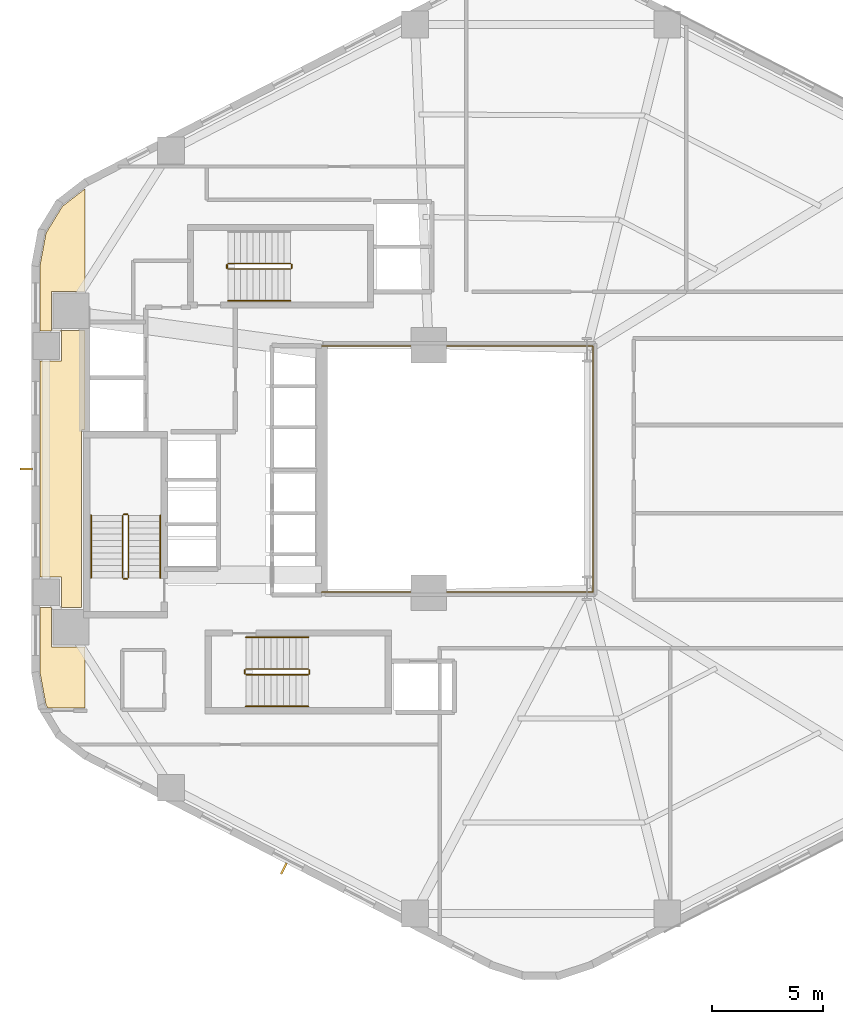
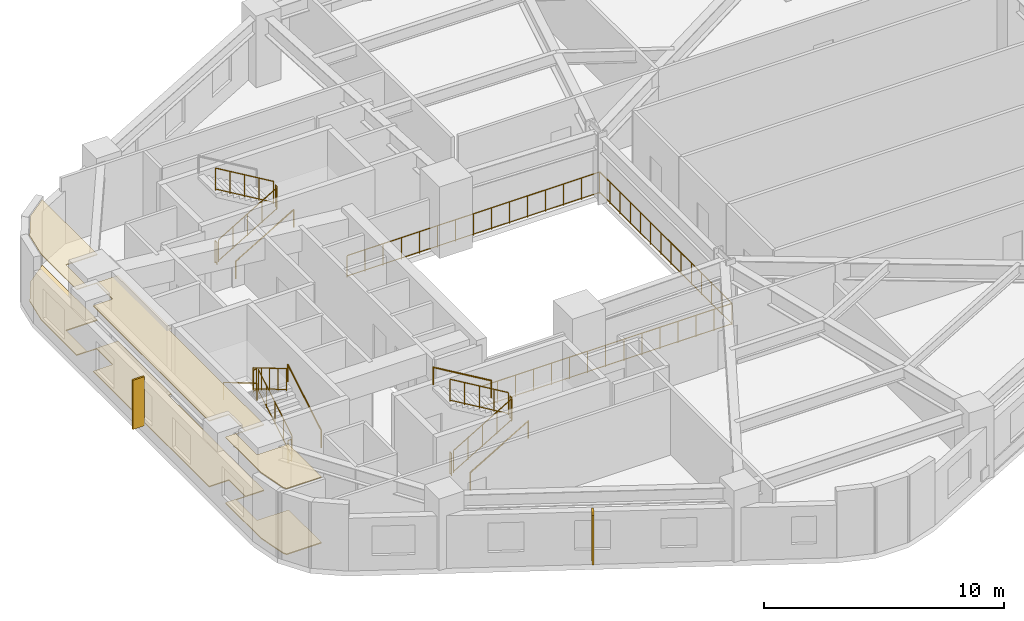
# One storey, part 6 of 7: 18 railings, 2 coverings, 2 shading devices.
"""IFC4 building model written with IfcOpenShell, lengths in metres."""

from ifc_helpers import new_model, si_unit, direction, frame, origin, origin_2d, place, context, subcontext, project, spatial, polyline, rectangle, circle, outline, extrude, material, layer, layer_set, type_object, element, save


model = new_model("IFC4")

# Units and contexts
model_context = context("Model", 3, precision=1e-05, world=origin(), true_north=direction((0.0, 1.0)))
body_context = subcontext(model_context, "Body", "Model", "MODEL_VIEW")
ifc_project = project(units=[si_unit("LENGTHUNIT", "METRE"), si_unit("AREAUNIT", "SQUARE_METRE"), si_unit("VOLUMEUNIT", "CUBIC_METRE"), si_unit("PLANEANGLEUNIT", "RADIAN"), si_unit("MASSUNIT", "GRAM", prefix="KILO"), si_unit("THERMODYNAMICTEMPERATUREUNIT", "KELVIN"), si_unit("POWERUNIT", "WATT")], contexts=[model_context])

# Site, building, storey
site_placement = place(None, origin())
site = spatial("IfcSite", under=ifc_project, at=site_placement, CompositionType="ELEMENT")
building_placement = place(site_placement, origin())
building = spatial("IfcBuilding", under=site, at=building_placement, Name="Skarre Station Tower", CompositionType="ELEMENT")
storey_placement = place(building_placement, frame((0.0, 0.0, 70.800048828125)))
storey = spatial("IfcBuildingStorey", under=building, at=storey_placement, Name="L18", CompositionType="ELEMENT", Elevation=70.800048828125)

# Railing
ifc_material_1 = material(Name="Bronze Anodized Steel & Laminated Glass Balustrade", Category="steel")
railing_type_1 = type_object("IfcRailingType", Name="Atrium Void & Mezzanine Guard Balustrade 1120", PredefinedType="GUARDRAIL", material=ifc_material_1)
railing_1_placement = place(storey_placement, frame((27.550048828125, 18.47998046875, 0.0)))
element("IfcRailing", 1, at=railing_1_placement, inside=storey, type_object=railing_type_1, Name="L18 Atrium Void Guard Balustrade", PredefinedType="GUARDRAIL", context=body_context, shape_type="SweptSolid", body=[
    extrude(circle(Radius=0.02392578125, at=origin_2d()), frame((0.0, 0.0, 1.09619140625), z_axis=(1.0, 0.0, 0.0), x_axis=(0.0, 1.0, 0.0)), (0.0, 0.0, 1.0), 12.169921875),
    extrude(circle(Radius=0.02099609375, at=origin_2d()), frame((0.0, 0.0, 0.06005859375), z_axis=(1.0, 0.0, 0.0), x_axis=(0.0, 1.0, 0.0)), (0.0, 0.0, 1.0), 12.169921875),
    extrude(circle(Radius=0.02392578125, at=origin_2d()), frame((12.169921875, 0.0, 1.09619140625), z_axis=(0.0, 1.0, 0.0), x_axis=(-1.0, 0.0, 0.0)), (0.0, 0.0, 1.0), 11.0400390625),
    extrude(circle(Radius=0.02099609375, at=origin_2d()), frame((12.169921875, 0.0, 0.06005859375), z_axis=(0.0, 1.0, 0.0), x_axis=(-1.0, 0.0, 0.0)), (0.0, 0.0, 1.0), 11.0400390625),
    extrude(circle(Radius=0.02392578125, at=origin_2d()), frame((12.169921875, 11.0400390625, 1.09619140625), z_axis=(-1.0, 0.0, 0.0), x_axis=(0.0, -1.0, 0.0)), (0.0, 0.0, 1.0), 12.169921875),
    extrude(circle(Radius=0.02099609375, at=origin_2d()), frame((12.169921875, 11.0400390625, 0.06005859375), z_axis=(-1.0, 0.0, 0.0), x_axis=(0.0, -1.0, 0.0)), (0.0, 0.0, 1.0), 12.169921875),
    extrude(circle(Radius=0.02099609375, at=origin_2d()), origin(), (0.0, 0.0, 1.0), 1.072021484375),
    extrude(circle(Radius=0.02099609375, at=origin_2d()), frame((0.869384765625, 0.0, 0.0)), (0.0, 0.0, 1.0), 1.072021484375),
    extrude(circle(Radius=0.02099609375, at=origin_2d()), frame((1.738525390625, 0.0, 0.0)), (0.0, 0.0, 1.0), 1.072021484375),
    extrude(circle(Radius=0.02099609375, at=origin_2d()), frame((2.60791015625, 0.0, 0.0)), (0.0, 0.0, 1.0), 1.072021484375),
    extrude(circle(Radius=0.02099609375, at=origin_2d()), frame((3.47705078125, 0.0, 0.0)), (0.0, 0.0, 1.0), 1.072021484375),
    extrude(circle(Radius=0.02099609375, at=origin_2d()), frame((4.346435546875, 0.0, 0.0)), (0.0, 0.0, 1.0), 1.072021484375),
    extrude(circle(Radius=0.02099609375, at=origin_2d()), frame((5.215576171875, 0.0, 0.0)), (0.0, 0.0, 1.0), 1.072021484375),
    extrude(circle(Radius=0.02099609375, at=origin_2d()), frame((6.0849609375, 0.0, 0.0)), (0.0, 0.0, 1.0), 1.072021484375),
    extrude(circle(Radius=0.02099609375, at=origin_2d()), frame((6.954345703125, 0.0, 0.0)), (0.0, 0.0, 1.0), 1.072021484375),
    extrude(circle(Radius=0.02099609375, at=origin_2d()), frame((7.823486328125, 0.0, 0.0)), (0.0, 0.0, 1.0), 1.072021484375),
    extrude(circle(Radius=0.02099609375, at=origin_2d()), frame((8.69287109375, 0.0, 0.0)), (0.0, 0.0, 1.0), 1.072021484375),
    extrude(circle(Radius=0.02099609375, at=origin_2d()), frame((9.56201171875, 0.0, 0.0)), (0.0, 0.0, 1.0), 1.072021484375),
    extrude(circle(Radius=0.02099609375, at=origin_2d()), frame((10.431396484375, 0.0, 0.0)), (0.0, 0.0, 1.0), 1.072021484375),
    extrude(circle(Radius=0.02099609375, at=origin_2d()), frame((11.300537109375, 0.0, 0.0)), (0.0, 0.0, 1.0), 1.072021484375),
    extrude(circle(Radius=0.02099609375, at=origin_2d()), frame((12.169921875, 0.0, 0.0)), (0.0, 0.0, 1.0), 1.072021484375),
    extrude(circle(Radius=0.02099609375, at=origin_2d()), frame((12.169921875, 0.84912109375, 0.0)), (0.0, 0.0, 1.0), 1.072021484375),
    extrude(circle(Radius=0.02099609375, at=origin_2d()), frame((12.169921875, 1.698486328125, 0.0)), (0.0, 0.0, 1.0), 1.072021484375),
    extrude(circle(Radius=0.02099609375, at=origin_2d()), frame((12.169921875, 2.547607421875, 0.0)), (0.0, 0.0, 1.0), 1.072021484375),
    extrude(circle(Radius=0.02099609375, at=origin_2d()), frame((12.169921875, 3.39697265625, 0.0)), (0.0, 0.0, 1.0), 1.072021484375),
    extrude(circle(Radius=0.02099609375, at=origin_2d()), frame((12.169921875, 4.24609375, 0.0)), (0.0, 0.0, 1.0), 1.072021484375),
    extrude(circle(Radius=0.02099609375, at=origin_2d()), frame((12.169921875, 5.095458984375, 0.0)), (0.0, 0.0, 1.0), 1.072021484375),
    extrude(circle(Radius=0.02099609375, at=origin_2d()), frame((12.169921875, 5.944580078125, 0.0)), (0.0, 0.0, 1.0), 1.072021484375),
    extrude(circle(Radius=0.02099609375, at=origin_2d()), frame((12.169921875, 6.7939453125, 0.0)), (0.0, 0.0, 1.0), 1.072021484375),
    extrude(circle(Radius=0.02099609375, at=origin_2d()), frame((12.169921875, 7.64306640625, 0.0)), (0.0, 0.0, 1.0), 1.072021484375),
    extrude(circle(Radius=0.02099609375, at=origin_2d()), frame((12.169921875, 8.492431640625, 0.0)), (0.0, 0.0, 1.0), 1.072021484375),
    extrude(circle(Radius=0.02099609375, at=origin_2d()), frame((12.169921875, 9.341552734375, 0.0)), (0.0, 0.0, 1.0), 1.072021484375),
    extrude(circle(Radius=0.02099609375, at=origin_2d()), frame((12.169921875, 10.19091796875, 0.0)), (0.0, 0.0, 1.0), 1.072021484375),
    extrude(circle(Radius=0.02099609375, at=origin_2d()), frame((12.169921875, 11.0400390625, 0.0)), (0.0, 0.0, 1.0), 1.072021484375),
    extrude(circle(Radius=0.02099609375, at=origin_2d()), frame((11.300537109375, 11.0400390625, 0.0)), (0.0, 0.0, 1.0), 1.072021484375),
    extrude(circle(Radius=0.02099609375, at=origin_2d()), frame((10.431396484375, 11.0400390625, 0.0)), (0.0, 0.0, 1.0), 1.072021484375),
    extrude(circle(Radius=0.02099609375, at=origin_2d()), frame((9.56201171875, 11.0400390625, 0.0)), (0.0, 0.0, 1.0), 1.072021484375),
    extrude(circle(Radius=0.02099609375, at=origin_2d()), frame((8.69287109375, 11.0400390625, 0.0)), (0.0, 0.0, 1.0), 1.072021484375),
    extrude(circle(Radius=0.02099609375, at=origin_2d()), frame((7.823486328125, 11.0400390625, 0.0)), (0.0, 0.0, 1.0), 1.072021484375),
    extrude(circle(Radius=0.02099609375, at=origin_2d()), frame((6.954345703125, 11.0400390625, 0.0)), (0.0, 0.0, 1.0), 1.072021484375),
    extrude(circle(Radius=0.02099609375, at=origin_2d()), frame((6.0849609375, 11.0400390625, 0.0)), (0.0, 0.0, 1.0), 1.072021484375),
    extrude(circle(Radius=0.02099609375, at=origin_2d()), frame((5.215576171875, 11.0400390625, 0.0)), (0.0, 0.0, 1.0), 1.072021484375),
    extrude(circle(Radius=0.02099609375, at=origin_2d()), frame((4.346435546875, 11.0400390625, 0.0)), (0.0, 0.0, 1.0), 1.072021484375),
    extrude(circle(Radius=0.02099609375, at=origin_2d()), frame((3.47705078125, 11.0400390625, 0.0)), (0.0, 0.0, 1.0), 1.072021484375),
    extrude(circle(Radius=0.02099609375, at=origin_2d()), frame((2.60791015625, 11.0400390625, 0.0)), (0.0, 0.0, 1.0), 1.072021484375),
    extrude(circle(Radius=0.02099609375, at=origin_2d()), frame((1.738525390625, 11.0400390625, 0.0)), (0.0, 0.0, 1.0), 1.072021484375),
    extrude(circle(Radius=0.02099609375, at=origin_2d()), frame((0.869384765625, 11.0400390625, 0.0)), (0.0, 0.0, 1.0), 1.072021484375),
    extrude(circle(Radius=0.02099609375, at=origin_2d()), frame((0.0, 11.0400390625, 0.0)), (0.0, 0.0, 1.0), 1.072021484375),
])

# Coverings
ifc_material_2 = material(Name="Honed Jura Limestone & Calcium-Sulfate Access Tile", Category="masonry")
ifc_layer_1 = layer(ifc_material_2, 0.050048828125, Name="Honed Jura Limestone & Calcium-Sulfate Access Tile")
ifc_layer_set_1 = layer_set([ifc_layer_1], Name="Honed Jura Limestone & Calcium-Sulfate Access Tile")
covering_type_1 = type_object("IfcCoveringType", Name="Honed Limestone & Raised Access Floor Finish 50", PredefinedType="FLOORING", material=ifc_layer_set_1)
covering_1_placement = place(storey_placement, origin())
element("IfcCovering", 2, at=covering_1_placement, inside=storey, type_object=covering_type_1, Name="L18 Limestone Access Flooring 1", PredefinedType="FLOORING", context=body_context, shape_type="SweptSolid", body=[
    extrude(outline(polyline([(16.93994140625, 36.583984375), (15.910888671875, 35.787109375), (15.178955078125, 34.5859375), (14.9169921875, 33.1669921875), (14.9169921875, 30.200927734375), (15.866943359375, 30.200927734375), (15.866943359375, 28.841064453125), (14.9169921875, 28.841064453125), (14.9169921875, 19.158935546875), (15.866943359375, 19.158935546875), (15.866943359375, 17.799072265625), (14.9169921875, 17.799072265625), (14.9169921875, 14.8330078125), (15.178955078125, 13.4140625), (15.260986328125, 13.280029296875), (16.93994140625, 13.280029296875), (16.93994140625, 16.02001953125), (15.419921875, 16.02001953125), (15.419921875, 17.780029296875), (16.77001953125, 17.780029296875), (16.77001953125, 25.699951171875), (16.77001953125, 25.7080078125), (16.77197265625, 25.716064453125), (16.77294921875, 25.722900390625), (16.77587890625, 25.73095703125), (16.779052734375, 25.738037109375), (16.782958984375, 25.743896484375), (16.7880859375, 25.7509765625), (16.79296875, 25.757080078125), (16.799072265625, 25.761962890625), (16.805908203125, 25.76708984375), (16.81201171875, 25.77099609375), (16.819091796875, 25.77392578125), (16.826904296875, 25.777099609375), (16.833984375, 25.778076171875), (16.842041015625, 25.780029296875), (16.85009765625, 25.780029296875), (16.919921875, 25.780029296875), (16.919921875, 30.219970703125), (15.419921875, 30.219970703125), (15.419921875, 31.97998046875), (16.93994140625, 31.97998046875), (16.93994140625, 36.583984375)])), origin(), (0.0, 0.0, 1.0), 0.050048828125),
])
ifc_material_3 = material(Name="Perforated Nordic Birch Veneer & Mineral Wool", Category="wood")
ifc_layer_2 = layer(ifc_material_3, 0.044921875, Name="Perforated Nordic Birch Veneer & Mineral Wool")
ifc_layer_set_2 = layer_set([ifc_layer_2], Name="Perforated Nordic Birch Veneer & Mineral Wool")
covering_type_2 = type_object("IfcCoveringType", Name="Nordic Birch Slatted Acoustic Suspended Ceiling 45", PredefinedType="CEILING", material=ifc_layer_set_2)
covering_2_placement = place(storey_placement, frame((0.0, 0.0, 3.344970703125)))
element("IfcCovering", 3, at=covering_2_placement, inside=storey, type_object=covering_type_2, Name="L18 Acoustic Birch Ceiling 1", PredefinedType="CEILING", context=body_context, shape_type="SweptSolid", body=[
    extrude(outline(polyline([(16.93994140625, 36.583984375), (15.910888671875, 35.787109375), (15.178955078125, 34.5859375), (14.9169921875, 33.1669921875), (14.9169921875, 30.200927734375), (15.866943359375, 30.200927734375), (15.866943359375, 28.841064453125), (14.9169921875, 28.841064453125), (14.9169921875, 19.158935546875), (15.866943359375, 19.158935546875), (15.866943359375, 17.799072265625), (14.9169921875, 17.799072265625), (14.9169921875, 14.8330078125), (15.178955078125, 13.4140625), (15.260986328125, 13.280029296875), (16.93994140625, 13.280029296875), (16.93994140625, 16.02001953125), (15.419921875, 16.02001953125), (15.419921875, 17.780029296875), (16.77001953125, 17.780029296875), (16.77001953125, 25.699951171875), (16.77001953125, 25.7080078125), (16.77197265625, 25.716064453125), (16.77294921875, 25.722900390625), (16.77587890625, 25.73095703125), (16.779052734375, 25.738037109375), (16.782958984375, 25.743896484375), (16.7880859375, 25.7509765625), (16.79296875, 25.757080078125), (16.799072265625, 25.761962890625), (16.805908203125, 25.76708984375), (16.81201171875, 25.77099609375), (16.819091796875, 25.77392578125), (16.826904296875, 25.777099609375), (16.833984375, 25.778076171875), (16.842041015625, 25.780029296875), (16.85009765625, 25.780029296875), (16.919921875, 25.780029296875), (16.919921875, 30.219970703125), (15.419921875, 30.219970703125), (15.419921875, 31.97998046875), (16.93994140625, 31.97998046875), (16.93994140625, 36.583984375)])), origin(), (0.0, 0.0, 1.0), 0.044921875),
])

# Shading devices
ifc_material_4 = material(Name="Bronze Anodized Extruded Aluminium 6063-T6", Category="aluminium")
shading_device_type = type_object("IfcShadingDeviceType", Name="Nordic Bronze Vertical Solar Fin 550x90", PredefinedType="SHUTTER", material=ifc_material_4)
for number, where, z_axis, x_axis, name in (
    (4, (14.287109375, 24.0, 0.349853515625), (0.0, 0.0, 1.0), (-1.0, 0.0, 0.0), "L18 Facet 2 Bronze Solar Fin"),
    (5, (25.85400390625, 6.077880859375, 0.349853515625), (0.0, 0.0, 1.0), (-0.458618535612, -0.888633242003, 0.0), "L18 Facet 3 Bronze Solar Fin"),
):
    element("IfcShadingDevice", number, at=place(storey_placement, frame(where, z_axis=z_axis, x_axis=x_axis)), inside=storey, type_object=shading_device_type, Name=name, PredefinedType="SHUTTER", context=body_context, shape_type="SweptSolid", body=[
        extrude(rectangle(XDim=0.550048828125, YDim=0.090087890625, at=origin_2d()), origin(), (0.0, 0.0, 1.0), 2.5),
    ])

# Railings
ifc_material_5 = material(Name="Powder-Coated Tubular Steel", Category="steel")
railing_type_2 = type_object("IfcRailingType", Name="Painted Steel Ramp & Stair Handrail 920", PredefinedType="HANDRAIL", material=ifc_material_5)
railing_2_placement = place(storey_placement, frame((20.300048828125, 19.1201171875, 0.165771484375)))
element("IfcRailing", 6, at=railing_2_placement, inside=storey, type_object=railing_type_2, Name="L18 ST-1 stair handrail 1", PredefinedType="HANDRAIL", context=body_context, shape_type="SweptSolid", body=[
    extrude(circle(Radius=0.02392578125, at=origin_2d()), frame((0.0, 0.0, 0.8759765625), z_axis=(0.0, 0.860286659441, 0.509810615413), x_axis=(-1.0, 0.0, 0.0)), (0.0, 0.0, 1.0), 3.25439453125),
    extrude(circle(Radius=0.02099609375, at=origin_2d()), origin(), (0.0, 0.0, 1.0), 0.851806640625),
    extrude(circle(Radius=0.02099609375, at=origin_2d()), frame((0.0, 2.7998046875, 1.6591796875)), (0.0, 0.0, 1.0), 0.851806640625),
])
railing_3_placement = place(storey_placement, frame((17.199951171875, 21.919921875, 1.990966796875)))
element("IfcRailing", 7, at=railing_3_placement, inside=storey, type_object=railing_type_2, Name="L18 ST-1 stair handrail 2", PredefinedType="HANDRAIL", context=body_context, shape_type="SweptSolid", body=[
    extrude(circle(Radius=0.02392578125, at=origin_2d()), frame((0.0, 0.0, 0.8759765625), z_axis=(0.0, -0.860319559791, 0.509755093197), x_axis=(1.0, 0.0, 0.0)), (0.0, 0.0, 1.0), 3.25439453125),
    extrude(circle(Radius=0.02099609375, at=origin_2d()), origin(), (0.0, 0.0, 1.0), 0.851806640625),
    extrude(circle(Radius=0.02099609375, at=origin_2d()), frame((0.0, -2.7998046875, 1.658935546875)), (0.0, 0.0, 1.0), 0.851806640625),
])
railing_4_placement = place(storey_placement, frame((24.14990234375, 13.35009765625, 0.165771484375)))
element("IfcRailing", 8, at=railing_4_placement, inside=storey, type_object=railing_type_2, Name="L18 ST-2 stair handrail 1", PredefinedType="HANDRAIL", context=body_context, shape_type="SweptSolid", body=[
    extrude(circle(Radius=0.02392578125, at=origin_2d()), frame((0.0, 0.0, 0.8759765625), z_axis=(0.860306154799, 0.0, 0.50977771628), x_axis=(0.0, 1.0, 0.0)), (0.0, 0.0, 1.0), 3.254638671875),
    extrude(circle(Radius=0.02099609375, at=origin_2d()), origin(), (0.0, 0.0, 1.0), 0.851806640625),
    extrude(circle(Radius=0.02099609375, at=origin_2d()), frame((2.800048828125, 0.0, 1.6591796875)), (0.0, 0.0, 1.0), 0.851806640625),
])
railing_5_placement = place(storey_placement, frame((26.949951171875, 16.449951171875, 1.990966796875)))
element("IfcRailing", 9, at=railing_5_placement, inside=storey, type_object=railing_type_2, Name="L18 ST-2 stair handrail 2", PredefinedType="HANDRAIL", context=body_context, shape_type="SweptSolid", body=[
    extrude(circle(Radius=0.02392578125, at=origin_2d()), frame((0.0, 0.0, 0.8759765625), z_axis=(-0.860339051648, 0.0, 0.50972219513), x_axis=(0.0, -1.0, 0.0)), (0.0, 0.0, 1.0), 3.254638671875),
    extrude(circle(Radius=0.02099609375, at=origin_2d()), origin(), (0.0, 0.0, 1.0), 0.851806640625),
    extrude(circle(Radius=0.02099609375, at=origin_2d()), frame((-2.800048828125, 0.0, 1.658935546875)), (0.0, 0.0, 1.0), 0.851806640625),
])
railing_6_placement = place(storey_placement, frame((23.35009765625, 31.550048828125, 0.165771484375)))
element("IfcRailing", 10, at=railing_6_placement, inside=storey, type_object=railing_type_2, Name="L18 ST-3 stair handrail 1", PredefinedType="HANDRAIL", context=body_context, shape_type="SweptSolid", body=[
    extrude(circle(Radius=0.02392578125, at=origin_2d()), frame((0.0, 0.0, 0.8759765625), z_axis=(0.860286659441, 0.0, 0.509810615413), x_axis=(0.0, 1.0, 0.0)), (0.0, 0.0, 1.0), 3.25439453125),
    extrude(circle(Radius=0.02099609375, at=origin_2d()), origin(), (0.0, 0.0, 1.0), 0.851806640625),
    extrude(circle(Radius=0.02099609375, at=origin_2d()), frame((2.7998046875, 0.0, 1.6591796875)), (0.0, 0.0, 1.0), 0.851806640625),
])
railing_type_3 = type_object("IfcRailingType", Name="Painted Steel Stairwell Guardrail 1100", PredefinedType="GUARDRAIL", material=ifc_material_5)
railing_7_placement = place(storey_placement, frame((18.8798828125, 19.1201171875, 0.165771484375)))
element("IfcRailing", 11, at=railing_7_placement, inside=storey, type_object=railing_type_3, Name="L18 ST-1 stair guard 1", PredefinedType="GUARDRAIL", context=body_context, shape_type="SweptSolid", body=[
    extrude(circle(Radius=0.02392578125, at=origin_2d()), frame((0.0, 0.0, 1.1259765625), z_axis=(0.0, 0.860286659441, 0.509810615413), x_axis=(-1.0, 0.0, 0.0)), (0.0, 0.0, 1.0), 3.25439453125),
    extrude(circle(Radius=0.02099609375, at=origin_2d()), frame((0.0, 0.0, 0.06005859375), z_axis=(0.0, 0.860286659441, 0.509810615413), x_axis=(-1.0, 0.0, 0.0)), (0.0, 0.0, 1.0), 3.25439453125),
    extrude(circle(Radius=0.02099609375, at=origin_2d()), origin(), (0.0, 0.0, 1.0), 1.101806640625),
    extrude(circle(Radius=0.02099609375, at=origin_2d()), frame((0.0, 0.699951171875, 0.414794921875)), (0.0, 0.0, 1.0), 1.101806640625),
    extrude(circle(Radius=0.02099609375, at=origin_2d()), frame((0.0, 1.39990234375, 0.82958984375)), (0.0, 0.0, 1.0), 1.101806640625),
    extrude(circle(Radius=0.02099609375, at=origin_2d()), frame((0.0, 2.099853515625, 1.244384765625)), (0.0, 0.0, 1.0), 1.101806640625),
    extrude(circle(Radius=0.02099609375, at=origin_2d()), frame((0.0, 2.7998046875, 1.6591796875)), (0.0, 0.0, 1.0), 1.101806640625),
])
railing_8_placement = place(storey_placement, frame((18.830078125, 21.969970703125, 1.824951171875)))
element("IfcRailing", 12, at=railing_8_placement, inside=storey, type_object=railing_type_3, Name="L18 ST-1 stair guard 2", PredefinedType="GUARDRAIL", context=body_context, shape_type="SweptSolid", body=[
    extrude(circle(Radius=0.02392578125, at=origin_2d()), frame((0.0, 0.0, 1.1259765625), z_axis=(-1.0, 0.0, 0.0), x_axis=(0.0, -1.0, 0.0)), (0.0, 0.0, 1.0), 0.16015625),
    extrude(circle(Radius=0.02099609375, at=origin_2d()), frame((0.0, 0.0, 0.06005859375), z_axis=(-1.0, 0.0, 0.0), x_axis=(0.0, -1.0, 0.0)), (0.0, 0.0, 1.0), 0.16015625),
    extrude(circle(Radius=0.02099609375, at=origin_2d()), origin(), (0.0, 0.0, 1.0), 1.101806640625),
    extrude(circle(Radius=0.02099609375, at=origin_2d()), frame((-0.16015625, 0.0, 0.0)), (0.0, 0.0, 1.0), 1.101806640625),
])
railing_9_placement = place(storey_placement, frame((18.6201171875, 21.919921875, 1.990966796875)))
element("IfcRailing", 13, at=railing_9_placement, inside=storey, type_object=railing_type_3, Name="L18 ST-1 stair guard 3", PredefinedType="GUARDRAIL", context=body_context, shape_type="SweptSolid", body=[
    extrude(circle(Radius=0.02392578125, at=origin_2d()), frame((0.0, 0.0, 1.1259765625), z_axis=(0.0, -0.860319559791, 0.509755093197), x_axis=(1.0, 0.0, 0.0)), (0.0, 0.0, 1.0), 3.25439453125),
    extrude(circle(Radius=0.02099609375, at=origin_2d()), frame((0.0, 0.0, 0.06005859375), z_axis=(0.0, -0.860319559791, 0.509755093197), x_axis=(1.0, 0.0, 0.0)), (0.0, 0.0, 1.0), 3.25439453125),
    extrude(circle(Radius=0.02099609375, at=origin_2d()), origin(), (0.0, 0.0, 1.0), 1.101806640625),
    extrude(circle(Radius=0.02099609375, at=origin_2d()), frame((0.0, -0.699951171875, 0.414794921875)), (0.0, 0.0, 1.0), 1.101806640625),
    extrude(circle(Radius=0.02099609375, at=origin_2d()), frame((0.0, -1.39990234375, 0.82958984375)), (0.0, 0.0, 1.0), 1.101806640625),
    extrude(circle(Radius=0.02099609375, at=origin_2d()), frame((0.0, -2.099853515625, 1.244140625)), (0.0, 0.0, 1.0), 1.101806640625),
    extrude(circle(Radius=0.02099609375, at=origin_2d()), frame((0.0, -2.7998046875, 1.658935546875)), (0.0, 0.0, 1.0), 1.101806640625),
])
railing_10_placement = place(storey_placement, frame((18.830078125, 19.070068359375, 0.0)))
element("IfcRailing", 14, at=railing_10_placement, inside=storey, type_object=railing_type_3, Name="L18 ST-1 stair guard 4", PredefinedType="GUARDRAIL", context=body_context, shape_type="SweptSolid", body=[
    extrude(circle(Radius=0.02392578125, at=origin_2d()), frame((0.0, 0.0, 1.1259765625), z_axis=(-1.0, 0.0, 0.0), x_axis=(0.0, -1.0, 0.0)), (0.0, 0.0, 1.0), 0.16015625),
    extrude(circle(Radius=0.02099609375, at=origin_2d()), frame((0.0, 0.0, 0.06005859375), z_axis=(-1.0, 0.0, 0.0), x_axis=(0.0, -1.0, 0.0)), (0.0, 0.0, 1.0), 0.16015625),
    extrude(circle(Radius=0.02099609375, at=origin_2d()), origin(), (0.0, 0.0, 1.0), 1.101806640625),
    extrude(circle(Radius=0.02099609375, at=origin_2d()), frame((-0.16015625, 0.0, 0.0)), (0.0, 0.0, 1.0), 1.101806640625),
])
railing_11_placement = place(storey_placement, frame((24.14990234375, 14.77001953125, 0.165771484375)))
element("IfcRailing", 15, at=railing_11_placement, inside=storey, type_object=railing_type_3, Name="L18 ST-2 stair guard 1", PredefinedType="GUARDRAIL", context=body_context, shape_type="SweptSolid", body=[
    extrude(circle(Radius=0.02392578125, at=origin_2d()), frame((0.0, 0.0, 1.1259765625), z_axis=(0.860306154799, 0.0, 0.50977771628), x_axis=(0.0, 1.0, 0.0)), (0.0, 0.0, 1.0), 3.254638671875),
    extrude(circle(Radius=0.02099609375, at=origin_2d()), frame((0.0, 0.0, 0.06005859375), z_axis=(0.860306154799, 0.0, 0.50977771628), x_axis=(0.0, 1.0, 0.0)), (0.0, 0.0, 1.0), 3.254638671875),
    extrude(circle(Radius=0.02099609375, at=origin_2d()), origin(), (0.0, 0.0, 1.0), 1.101806640625),
    extrude(circle(Radius=0.02099609375, at=origin_2d()), frame((0.699951171875, 0.0, 0.414794921875)), (0.0, 0.0, 1.0), 1.101806640625),
    extrude(circle(Radius=0.02099609375, at=origin_2d()), frame((1.39990234375, 0.0, 0.82958984375)), (0.0, 0.0, 1.0), 1.101806640625),
    extrude(circle(Radius=0.02099609375, at=origin_2d()), frame((2.10009765625, 0.0, 1.244384765625)), (0.0, 0.0, 1.0), 1.101806640625),
    extrude(circle(Radius=0.02099609375, at=origin_2d()), frame((2.800048828125, 0.0, 1.6591796875)), (0.0, 0.0, 1.0), 1.101806640625),
])
railing_12_placement = place(storey_placement, frame((27.0, 14.820068359375, 1.824951171875)))
element("IfcRailing", 16, at=railing_12_placement, inside=storey, type_object=railing_type_3, Name="L18 ST-2 stair guard 2", PredefinedType="GUARDRAIL", context=body_context, shape_type="SweptSolid", body=[
    extrude(circle(Radius=0.02392578125, at=origin_2d()), frame((0.0, 0.0, 1.1259765625), z_axis=(0.0, 1.0, 0.0), x_axis=(-1.0, 0.0, 0.0)), (0.0, 0.0, 1.0), 0.159912109375),
    extrude(circle(Radius=0.02099609375, at=origin_2d()), frame((0.0, 0.0, 0.06005859375), z_axis=(0.0, 1.0, 0.0), x_axis=(-1.0, 0.0, 0.0)), (0.0, 0.0, 1.0), 0.159912109375),
    extrude(circle(Radius=0.02099609375, at=origin_2d()), origin(), (0.0, 0.0, 1.0), 1.101806640625),
    extrude(circle(Radius=0.02099609375, at=origin_2d()), frame((0.0, 0.159912109375, 0.0)), (0.0, 0.0, 1.0), 1.101806640625),
])
railing_13_placement = place(storey_placement, frame((26.949951171875, 15.030029296875, 1.990966796875)))
element("IfcRailing", 17, at=railing_13_placement, inside=storey, type_object=railing_type_3, Name="L18 ST-2 stair guard 3", PredefinedType="GUARDRAIL", context=body_context, shape_type="SweptSolid", body=[
    extrude(circle(Radius=0.02392578125, at=origin_2d()), frame((0.0, 0.0, 1.1259765625), z_axis=(-0.860339051648, 0.0, 0.50972219513), x_axis=(0.0, -1.0, 0.0)), (0.0, 0.0, 1.0), 3.254638671875),
    extrude(circle(Radius=0.02099609375, at=origin_2d()), frame((0.0, 0.0, 0.06005859375), z_axis=(-0.860339051648, 0.0, 0.50972219513), x_axis=(0.0, -1.0, 0.0)), (0.0, 0.0, 1.0), 3.254638671875),
    extrude(circle(Radius=0.02099609375, at=origin_2d()), origin(), (0.0, 0.0, 1.0), 1.101806640625),
    extrude(circle(Radius=0.02099609375, at=origin_2d()), frame((-0.699951171875, 0.0, 0.414794921875)), (0.0, 0.0, 1.0), 1.101806640625),
    extrude(circle(Radius=0.02099609375, at=origin_2d()), frame((-1.39990234375, 0.0, 0.82958984375)), (0.0, 0.0, 1.0), 1.101806640625),
    extrude(circle(Radius=0.02099609375, at=origin_2d()), frame((-2.10009765625, 0.0, 1.244140625)), (0.0, 0.0, 1.0), 1.101806640625),
    extrude(circle(Radius=0.02099609375, at=origin_2d()), frame((-2.800048828125, 0.0, 1.658935546875)), (0.0, 0.0, 1.0), 1.101806640625),
])
railing_14_placement = place(storey_placement, frame((24.10009765625, 14.820068359375, 0.0)))
element("IfcRailing", 18, at=railing_14_placement, inside=storey, type_object=railing_type_3, Name="L18 ST-2 stair guard 4", PredefinedType="GUARDRAIL", context=body_context, shape_type="SweptSolid", body=[
    extrude(circle(Radius=0.02392578125, at=origin_2d()), frame((0.0, 0.0, 1.1259765625), z_axis=(0.0, 1.0, 0.0), x_axis=(-1.0, 0.0, 0.0)), (0.0, 0.0, 1.0), 0.159912109375),
    extrude(circle(Radius=0.02099609375, at=origin_2d()), frame((0.0, 0.0, 0.06005859375), z_axis=(0.0, 1.0, 0.0), x_axis=(-1.0, 0.0, 0.0)), (0.0, 0.0, 1.0), 0.159912109375),
    extrude(circle(Radius=0.02099609375, at=origin_2d()), origin(), (0.0, 0.0, 1.0), 1.101806640625),
    extrude(circle(Radius=0.02099609375, at=origin_2d()), frame((0.0, 0.159912109375, 0.0)), (0.0, 0.0, 1.0), 1.101806640625),
])
railing_15_placement = place(storey_placement, frame((23.35009765625, 32.969970703125, 0.165771484375)))
element("IfcRailing", 19, at=railing_15_placement, inside=storey, type_object=railing_type_3, Name="L18 ST-3 stair guard 1", PredefinedType="GUARDRAIL", context=body_context, shape_type="SweptSolid", body=[
    extrude(circle(Radius=0.02392578125, at=origin_2d()), frame((0.0, 0.0, 1.1259765625), z_axis=(0.860286659441, 0.0, 0.509810615413), x_axis=(0.0, 1.0, 0.0)), (0.0, 0.0, 1.0), 3.25439453125),
    extrude(circle(Radius=0.02099609375, at=origin_2d()), frame((0.0, 0.0, 0.06005859375), z_axis=(0.860286659441, 0.0, 0.509810615413), x_axis=(0.0, 1.0, 0.0)), (0.0, 0.0, 1.0), 3.25439453125),
    extrude(circle(Radius=0.02099609375, at=origin_2d()), origin(), (0.0, 0.0, 1.0), 1.101806640625),
    extrude(circle(Radius=0.02099609375, at=origin_2d()), frame((0.699951171875, 0.0, 0.414794921875)), (0.0, 0.0, 1.0), 1.101806640625),
    extrude(circle(Radius=0.02099609375, at=origin_2d()), frame((1.39990234375, 0.0, 0.82958984375)), (0.0, 0.0, 1.0), 1.101806640625),
    extrude(circle(Radius=0.02099609375, at=origin_2d()), frame((2.099853515625, 0.0, 1.244384765625)), (0.0, 0.0, 1.0), 1.101806640625),
    extrude(circle(Radius=0.02099609375, at=origin_2d()), frame((2.7998046875, 0.0, 1.6591796875)), (0.0, 0.0, 1.0), 1.101806640625),
])
railing_16_placement = place(storey_placement, frame((26.199951171875, 33.02001953125, 1.824951171875)))
element("IfcRailing", 20, at=railing_16_placement, inside=storey, type_object=railing_type_3, Name="L18 ST-3 stair guard 2", PredefinedType="GUARDRAIL", context=body_context, shape_type="SweptSolid", body=[
    extrude(circle(Radius=0.02392578125, at=origin_2d()), frame((0.0, 0.0, 1.1259765625), z_axis=(0.0, 1.0, 0.0), x_axis=(-1.0, 0.0, 0.0)), (0.0, 0.0, 1.0), 0.159912109375),
    extrude(circle(Radius=0.02099609375, at=origin_2d()), frame((0.0, 0.0, 0.06005859375), z_axis=(0.0, 1.0, 0.0), x_axis=(-1.0, 0.0, 0.0)), (0.0, 0.0, 1.0), 0.159912109375),
    extrude(circle(Radius=0.02099609375, at=origin_2d()), origin(), (0.0, 0.0, 1.0), 1.101806640625),
    extrude(circle(Radius=0.02099609375, at=origin_2d()), frame((0.0, 0.159912109375, 0.0)), (0.0, 0.0, 1.0), 1.101806640625),
])
railing_17_placement = place(storey_placement, frame((26.14990234375, 33.22998046875, 1.990966796875)))
element("IfcRailing", 21, at=railing_17_placement, inside=storey, type_object=railing_type_3, Name="L18 ST-3 stair guard 3", PredefinedType="GUARDRAIL", context=body_context, shape_type="SweptSolid", body=[
    extrude(circle(Radius=0.02392578125, at=origin_2d()), frame((0.0, 0.0, 1.1259765625), z_axis=(-0.860319559791, 0.0, 0.509755093197), x_axis=(0.0, -1.0, 0.0)), (0.0, 0.0, 1.0), 3.25439453125),
    extrude(circle(Radius=0.02099609375, at=origin_2d()), frame((0.0, 0.0, 0.06005859375), z_axis=(-0.860319559791, 0.0, 0.509755093197), x_axis=(0.0, -1.0, 0.0)), (0.0, 0.0, 1.0), 3.25439453125),
    extrude(circle(Radius=0.02099609375, at=origin_2d()), origin(), (0.0, 0.0, 1.0), 1.101806640625),
    extrude(circle(Radius=0.02099609375, at=origin_2d()), frame((-0.699951171875, 0.0, 0.414794921875)), (0.0, 0.0, 1.0), 1.101806640625),
    extrude(circle(Radius=0.02099609375, at=origin_2d()), frame((-1.39990234375, 0.0, 0.82958984375)), (0.0, 0.0, 1.0), 1.101806640625),
    extrude(circle(Radius=0.02099609375, at=origin_2d()), frame((-2.099853515625, 0.0, 1.244140625)), (0.0, 0.0, 1.0), 1.101806640625),
    extrude(circle(Radius=0.02099609375, at=origin_2d()), frame((-2.7998046875, 0.0, 1.658935546875)), (0.0, 0.0, 1.0), 1.101806640625),
])
railing_18_placement = place(storey_placement, frame((23.300048828125, 33.02001953125, 0.0)))
element("IfcRailing", 22, at=railing_18_placement, inside=storey, type_object=railing_type_3, Name="L18 ST-3 stair guard 4", PredefinedType="GUARDRAIL", context=body_context, shape_type="SweptSolid", body=[
    extrude(circle(Radius=0.02392578125, at=origin_2d()), frame((0.0, 0.0, 1.1259765625), z_axis=(0.0, 1.0, 0.0), x_axis=(-1.0, 0.0, 0.0)), (0.0, 0.0, 1.0), 0.159912109375),
    extrude(circle(Radius=0.02099609375, at=origin_2d()), frame((0.0, 0.0, 0.06005859375), z_axis=(0.0, 1.0, 0.0), x_axis=(-1.0, 0.0, 0.0)), (0.0, 0.0, 1.0), 0.159912109375),
    extrude(circle(Radius=0.02099609375, at=origin_2d()), origin(), (0.0, 0.0, 1.0), 1.101806640625),
    extrude(circle(Radius=0.02099609375, at=origin_2d()), frame((0.0, 0.159912109375, 0.0)), (0.0, 0.0, 1.0), 1.101806640625),
])

save(model, "model.ifc")
